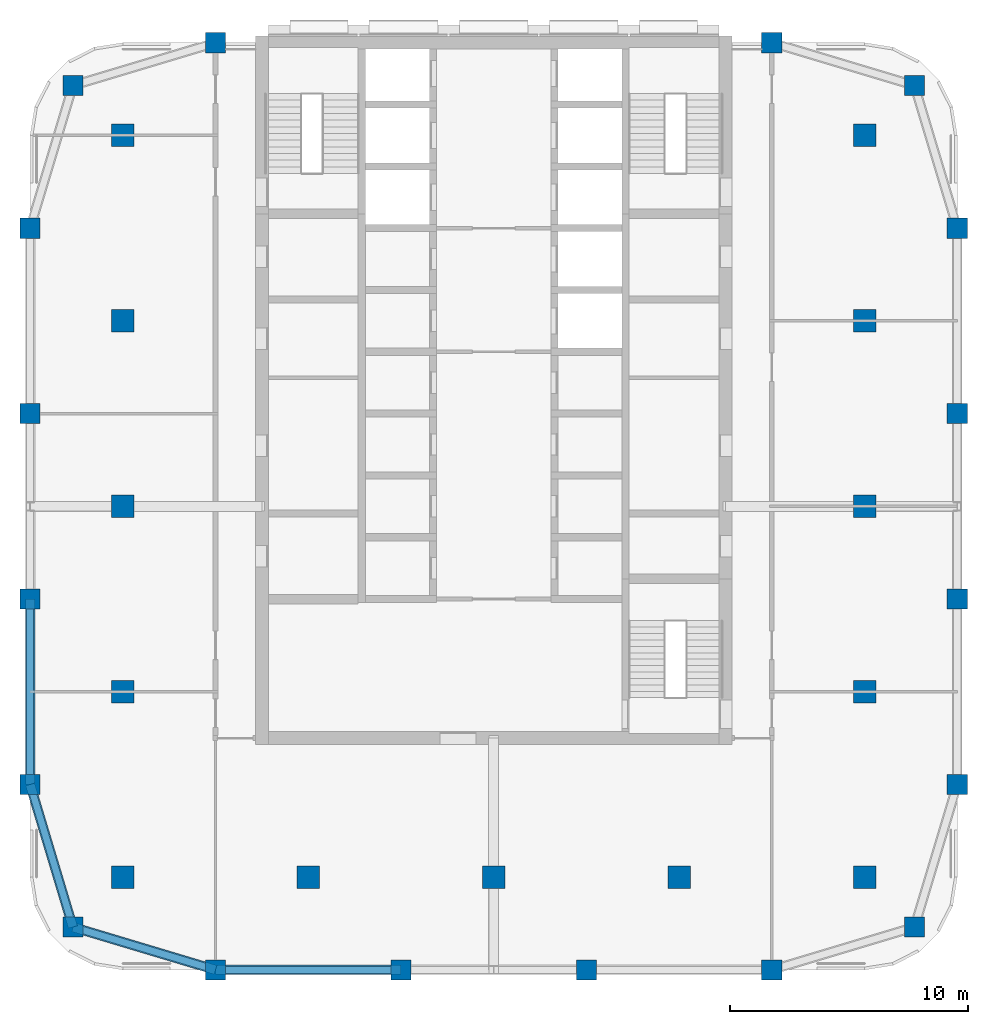
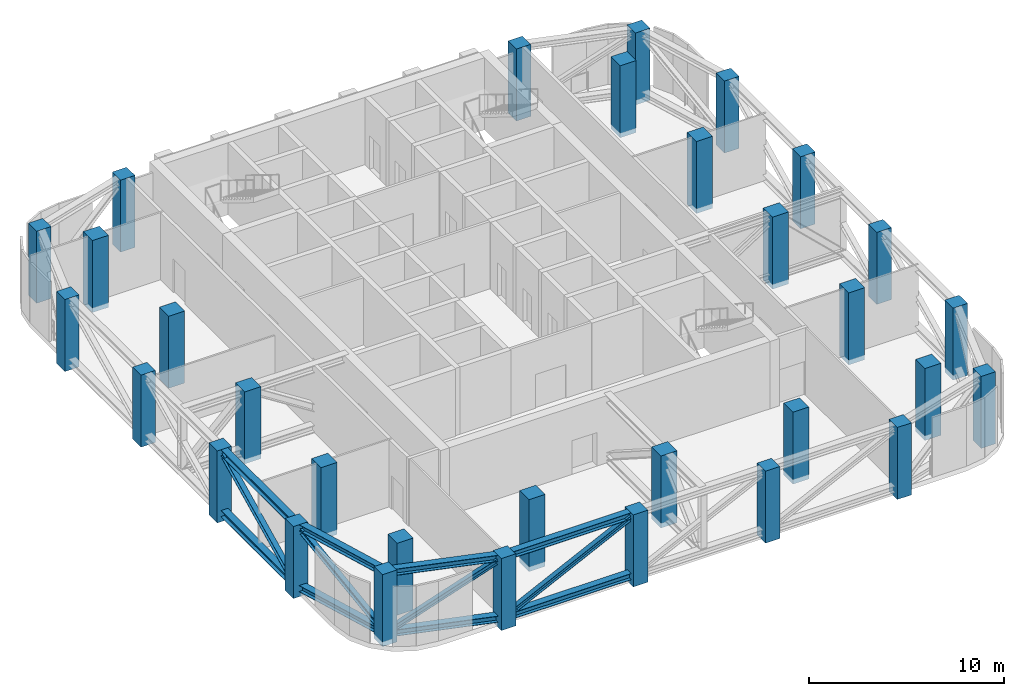
# One storey, part 1 of 11: 31 columns, 12 members.
"""IFC4 building model written with IfcOpenShell, lengths in metres."""

from ifc_helpers import new_model, si_unit, direction, frame, origin, origin_2d, place, context, subcontext, project, spatial, rectangle, i_section, extrude, material, material_profile, profile_set, type_object, element, save


model = new_model("IFC4")

# Units and contexts
model_context = context("Model", 3, precision=1e-05, world=origin(), true_north=direction((0.0, 1.0)))
body_context = subcontext(model_context, "Body", "Model", "MODEL_VIEW")
ifc_project = project(units=[si_unit("LENGTHUNIT", "METRE"), si_unit("AREAUNIT", "SQUARE_METRE"), si_unit("VOLUMEUNIT", "CUBIC_METRE"), si_unit("PLANEANGLEUNIT", "RADIAN"), si_unit("MASSUNIT", "GRAM", prefix="KILO")], contexts=[model_context])

# Site, building, storey
site_placement = place(None, origin())
site = spatial("IfcSite", under=ifc_project, at=site_placement, CompositionType="ELEMENT")
building_placement = place(site_placement, origin())
building = spatial("IfcBuilding", under=site, at=building_placement, Name="Ludao Terraces", CompositionType="ELEMENT")
storey_placement = place(building_placement, frame((0.0, 0.0, 144.10009765625)))
storey = spatial("IfcBuildingStorey", under=building, at=storey_placement, Name="L39", CompositionType="ELEMENT", Elevation=144.10009765625)

# Columns
ifc_material_1 = material(Name="Concrete C50", Category="concrete")
ifc_material_profile_1 = material_profile(ifc_material_1, rectangle(XDim=0.85009765625, YDim=0.85009765625, at=origin_2d()), Name="850 X 850")
ifc_profile_set_1 = profile_set([ifc_material_profile_1], Name="Concrete C50")
column_type_1 = type_object("IfcColumnType", Name="RC column 850x850 C50", PredefinedType="COLUMN", material=ifc_profile_set_1)
for number, where, z_axis, x_axis, name in (
    (1, (67.300048828125, 47.300048828125, -0.300048828125), (0.0, 0.0, 1.0), (1.0, 0.0, 0.0), "Column L39 C0057x0057"),
    (2, (102.699951171875, 47.300048828125, -0.300048828125), (0.0, 0.0, 1.0), (1.0, 0.0, 0.0), "Column L39 C0411x0057"),
    (3, (67.300048828125, 82.699951171875, -0.300048828125), (0.0, 0.0, 1.0), (1.0, 0.0, 0.0), "Column L39 C0057x0411"),
    (4, (102.699951171875, 82.699951171875, -0.300048828125), (0.0, 0.0, 1.0), (1.0, 0.0, 0.0), "Column L39 C0411x0411"),
    (5, (65.5, 53.300048828125, -0.300048828125), (0.0, 0.0, 1.0), (1.0, 0.0, 0.0), "Column L39 W0039x0117"),
    (6, (104.5, 53.300048828125, -0.300048828125), (0.0, 0.0, 1.0), (1.0, 0.0, 0.0), "Column L39 W0429x0117"),
    (7, (73.300048828125, 45.5, -0.300048828125), (0.0, 0.0, 1.0), (1.0, 0.0, 0.0), "Column L39 W0117x0039"),
    (8, (73.300048828125, 84.5, -0.300048828125), (0.0, 0.0, 1.0), (1.0, 0.0, 0.0), "Column L39 W0117x0429"),
    (9, (65.5, 61.10009765625, -0.300048828125), (0.0, 0.0, 1.0), (1.0, 0.0, 0.0), "Column L39 W0039x0195"),
    (10, (104.5, 61.10009765625, -0.300048828125), (0.0, 0.0, 1.0), (1.0, 0.0, 0.0), "Column L39 W0429x0195"),
    (11, (81.10009765625, 45.5, -0.300048828125), (0.0, 0.0, 1.0), (1.0, 0.0, 0.0), "Column L39 W0195x0039"),
    (12, (65.5, 68.89990234375, -0.300048828125), (0.0, 0.0, 1.0), (1.0, 0.0, 0.0), "Column L39 W0039x0273"),
    (13, (104.5, 68.89990234375, -0.300048828125), (0.0, 0.0, 1.0), (1.0, 0.0, 0.0), "Column L39 W0429x0273"),
    (14, (88.89990234375, 45.5, -0.300048828125), (0.0, 0.0, 1.0), (1.0, 0.0, 0.0), "Column L39 W0273x0039"),
    (15, (65.5, 76.699951171875, -0.300048828125), (0.0, 0.0, 1.0), (1.0, 0.0, 0.0), "Column L39 W0039x0351"),
    (16, (104.5, 76.699951171875, -0.300048828125), (0.0, 0.0, 1.0), (1.0, 0.0, 0.0), "Column L39 W0429x0351"),
    (17, (96.699951171875, 45.5, -0.300048828125), (0.0, 0.0, 1.0), (1.0, 0.0, 0.0), "Column L39 W0351x0039"),
    (18, (96.699951171875, 84.5, -0.300048828125), (0.0, 0.0, 1.0), (1.0, 0.0, 0.0), "Column L39 W0351x0429"),
):
    element("IfcColumn", number, at=place(storey_placement, frame(where, z_axis=z_axis, x_axis=x_axis)), inside=storey, type_object=column_type_1, Name=name, PredefinedType="COLUMN", context=body_context, shape_type="SweptSolid", body=[
        extrude(rectangle(XDim=0.85009765625, YDim=0.85009765625, at=origin_2d()), origin(), (0.0, 0.0, 1.0), 4.5),
    ])
ifc_material_profile_2 = material_profile(ifc_material_1, rectangle(XDim=0.949951171875, YDim=0.949951171875, at=origin_2d()), Name="950 X 950")
ifc_profile_set_2 = profile_set([ifc_material_profile_2], Name="Concrete C50")
column_type_2 = type_object("IfcColumnType", Name="RC column 950x950 C50", PredefinedType="COLUMN", material=ifc_profile_set_2)
for number, where, z_axis, x_axis, name in (
    (19, (69.39990234375, 49.39990234375, -0.300048828125), (0.0, 0.0, 1.0), (1.0, 0.0, 0.0), "Column L39 S0078x0078"),
    (20, (69.39990234375, 57.199951171875, -0.300048828125), (0.0, 0.0, 1.0), (1.0, 0.0, 0.0), "Column L39 S0078x0156"),
    (21, (69.39990234375, 65.0, -0.300048828125), (0.0, 0.0, 1.0), (1.0, 0.0, 0.0), "Column L39 S0078x0234"),
    (22, (69.39990234375, 72.800048828125, -0.300048828125), (0.0, 0.0, 1.0), (1.0, 0.0, 0.0), "Column L39 S0078x0312"),
    (23, (69.39990234375, 80.60009765625, -0.300048828125), (0.0, 0.0, 1.0), (1.0, 0.0, 0.0), "Column L39 S0078x0390"),
    (24, (77.199951171875, 49.39990234375, -0.300048828125), (0.0, 0.0, 1.0), (1.0, 0.0, 0.0), "Column L39 S0156x0078"),
    (25, (85.0, 49.39990234375, -0.300048828125), (0.0, 0.0, 1.0), (1.0, 0.0, 0.0), "Column L39 S0234x0078"),
    (26, (92.800048828125, 49.39990234375, -0.300048828125), (0.0, 0.0, 1.0), (1.0, 0.0, 0.0), "Column L39 S0312x0078"),
    (27, (100.60009765625, 49.39990234375, -0.300048828125), (0.0, 0.0, 1.0), (1.0, 0.0, 0.0), "Column L39 S0390x0078"),
    (28, (100.60009765625, 57.199951171875, -0.300048828125), (0.0, 0.0, 1.0), (1.0, 0.0, 0.0), "Column L39 S0390x0156"),
    (29, (100.60009765625, 65.0, -0.300048828125), (0.0, 0.0, 1.0), (1.0, 0.0, 0.0), "Column L39 S0390x0234"),
    (30, (100.60009765625, 72.800048828125, -0.300048828125), (0.0, 0.0, 1.0), (1.0, 0.0, 0.0), "Column L39 S0390x0312"),
    (31, (100.60009765625, 80.60009765625, -0.300048828125), (0.0, 0.0, 1.0), (1.0, 0.0, 0.0), "Column L39 S0390x0390"),
):
    element("IfcColumn", number, at=place(storey_placement, frame(where, z_axis=z_axis, x_axis=x_axis)), inside=storey, type_object=column_type_2, Name=name, PredefinedType="COLUMN", context=body_context, shape_type="SweptSolid", body=[
        extrude(rectangle(XDim=0.949951171875, YDim=0.949951171875, at=origin_2d()), origin(), (0.0, 0.0, 1.0), 4.5),
    ])

# Members
ifc_material_2 = material(Name="Steel Q355", Category="steel")
ifc_material_profile_3 = material_profile(ifc_material_2, i_section(OverallWidth=0.39990234375, OverallDepth=0.39990234375, WebThickness=0.012939453125, FlangeThickness=0.02099609375, at=origin_2d()), Name="HW 400X400X13X21")
ifc_profile_set_3 = profile_set([ifc_material_profile_3], Name="Steel Q355")
member_type_1 = type_object("IfcMemberType", Name="Belt truss chord HW 400x400x13x21 Q355", PredefinedType="CHORD", material=ifc_profile_set_3)
for number, where, z_axis, x_axis, name in (
    (32, (67.300048828125, 47.300048828125, 4.0), (0.957824139839, -0.287355036744, 0.0), (0.287355036744, 0.957824139839, 0.0), "Truss chord L39 BT1T1"),
    (33, (67.300048828125, 47.300048828125, 0.199951171875), (0.957824139839, -0.287355036744, 0.0), (0.287355036744, 0.957824139839, 0.0), "Truss chord L39 BT1B1"),
):
    element("IfcMember", number, at=place(storey_placement, frame(where, z_axis=z_axis, x_axis=x_axis)), inside=storey, type_object=member_type_1, Name=name, PredefinedType="CHORD", context=body_context, shape_type="SweptSolid", body=[
        extrude(i_section(OverallWidth=0.39990234375, OverallDepth=0.39990234375, WebThickness=0.012939453125, FlangeThickness=0.02099609375, at=origin_2d()), origin(), (0.0, 0.0, 1.0), 6.26416015625),
    ])
for number, where, z_axis, x_axis, name in (
    (34, (73.300048828125, 45.5, 4.0), (1.0, 0.0, 0.0), (0.0, 1.0, 0.0), "Truss chord L39 BT2T1"),
    (35, (73.300048828125, 45.5, 0.199951171875), (1.0, 0.0, 0.0), (0.0, 1.0, 0.0), "Truss chord L39 BT2B1"),
):
    element("IfcMember", number, at=place(storey_placement, frame(where, z_axis=z_axis, x_axis=x_axis)), inside=storey, type_object=member_type_1, Name=name, PredefinedType="CHORD", context=body_context, shape_type="SweptSolid", body=[
        extrude(i_section(OverallWidth=0.39990234375, OverallDepth=0.39990234375, WebThickness=0.012939453125, FlangeThickness=0.02099609375, at=origin_2d()), origin(), (0.0, 0.0, 1.0), 7.800048828125),
    ])
for number, where, z_axis, x_axis, name in (
    (36, (67.300048828125, 47.300048828125, 4.0), (-0.287355036744, 0.957824139839, 0.0), (-0.957824139839, -0.287355036744, 0.0), "Truss chord L39 BT8T1"),
    (37, (67.300048828125, 47.300048828125, 0.199951171875), (-0.287355036744, 0.957824139839, 0.0), (-0.957824139839, -0.287355036744, 0.0), "Truss chord L39 BT8B1"),
):
    element("IfcMember", number, at=place(storey_placement, frame(where, z_axis=z_axis, x_axis=x_axis)), inside=storey, type_object=member_type_1, Name=name, PredefinedType="CHORD", context=body_context, shape_type="SweptSolid", body=[
        extrude(i_section(OverallWidth=0.39990234375, OverallDepth=0.39990234375, WebThickness=0.012939453125, FlangeThickness=0.02099609375, at=origin_2d()), origin(), (0.0, 0.0, 1.0), 6.26416015625),
    ])
for number, where, z_axis, x_axis, name in (
    (38, (65.5, 53.300048828125, 4.0), (0.0, 1.0, 0.0), (-1.0, 0.0, 0.0), "Truss chord L39 BT9T1"),
    (39, (65.5, 53.300048828125, 0.199951171875), (0.0, 1.0, 0.0), (-1.0, 0.0, 0.0), "Truss chord L39 BT9B1"),
):
    element("IfcMember", number, at=place(storey_placement, frame(where, z_axis=z_axis, x_axis=x_axis)), inside=storey, type_object=member_type_1, Name=name, PredefinedType="CHORD", context=body_context, shape_type="SweptSolid", body=[
        extrude(i_section(OverallWidth=0.39990234375, OverallDepth=0.39990234375, WebThickness=0.012939453125, FlangeThickness=0.02099609375, at=origin_2d()), origin(), (0.0, 0.0, 1.0), 7.800048828125),
    ])
ifc_material_profile_4 = material_profile(ifc_material_2, i_section(OverallWidth=0.300048828125, OverallDepth=0.300048828125, WebThickness=0.010009765625, FlangeThickness=0.014892578125, at=origin_2d()), Name="HW 300X300X10X15")
ifc_profile_set_4 = profile_set([ifc_material_profile_4], Name="Steel Q355")
member_type_2 = type_object("IfcMemberType", Name="Belt truss diagonal HW 300x300x10x15 Q355", PredefinedType="BRACE", material=ifc_profile_set_4)
member_1_placement = place(storey_placement, frame((67.300048828125, 47.300048828125, 0.199951171875), z_axis=(0.818922464161, -0.245683403656, 0.518657558376), x_axis=(0.287355036744, 0.957824139839, 0.0)))
element("IfcMember", 40, at=member_1_placement, inside=storey, type_object=member_type_2, Name="Truss diagonal L39 BT11", PredefinedType="BRACE", context=body_context, shape_type="SweptSolid", body=[
    extrude(i_section(OverallWidth=0.300048828125, OverallDepth=0.300048828125, WebThickness=0.010009765625, FlangeThickness=0.014892578125, at=origin_2d()), origin(), (0.0, 0.0, 1.0), 7.32666015625),
])
member_2_placement = place(storey_placement, frame((73.300048828125, 45.5, 0.199951171875), z_axis=(0.89898873254, 0.0, 0.437971755672), x_axis=(0.0, 1.0, 0.0)))
element("IfcMember", 41, at=member_2_placement, inside=storey, type_object=member_type_2, Name="Truss diagonal L39 BT21", PredefinedType="BRACE", context=body_context, shape_type="SweptSolid", body=[
    extrude(i_section(OverallWidth=0.300048828125, OverallDepth=0.300048828125, WebThickness=0.010009765625, FlangeThickness=0.014892578125, at=origin_2d()), origin(), (0.0, 0.0, 1.0), 8.676513671875),
])
member_3_placement = place(storey_placement, frame((67.300048828125, 47.300048828125, 0.199951171875), z_axis=(-0.245683403656, 0.818922464161, 0.518657558376), x_axis=(-0.957824139839, -0.287355036744, 0.0)))
element("IfcMember", 42, at=member_3_placement, inside=storey, type_object=member_type_2, Name="Truss diagonal L39 BT81", PredefinedType="BRACE", context=body_context, shape_type="SweptSolid", body=[
    extrude(i_section(OverallWidth=0.300048828125, OverallDepth=0.300048828125, WebThickness=0.010009765625, FlangeThickness=0.014892578125, at=origin_2d()), origin(), (0.0, 0.0, 1.0), 7.32666015625),
])
member_4_placement = place(storey_placement, frame((65.5, 53.300048828125, 0.199951171875), z_axis=(0.0, 0.89898873254, 0.437971755672), x_axis=(-1.0, 0.0, 0.0)))
element("IfcMember", 43, at=member_4_placement, inside=storey, type_object=member_type_2, Name="Truss diagonal L39 BT91", PredefinedType="BRACE", context=body_context, shape_type="SweptSolid", body=[
    extrude(i_section(OverallWidth=0.300048828125, OverallDepth=0.300048828125, WebThickness=0.010009765625, FlangeThickness=0.014892578125, at=origin_2d()), origin(), (0.0, 0.0, 1.0), 8.676513671875),
])

save(model, "model.ifc")
